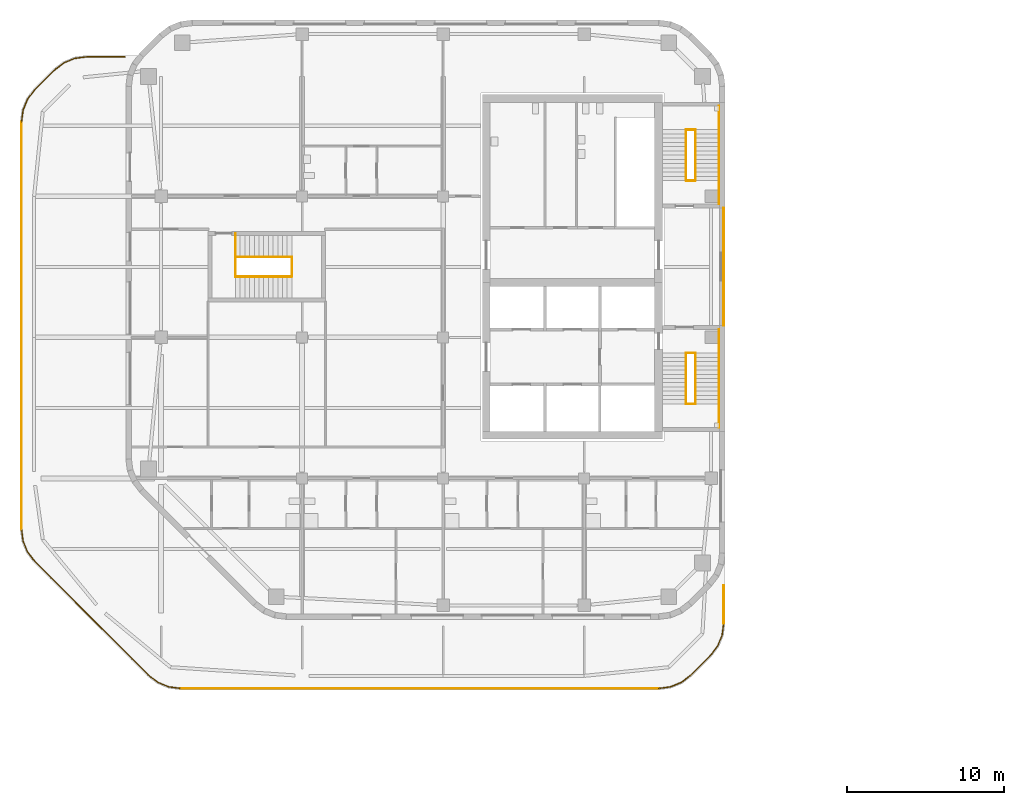
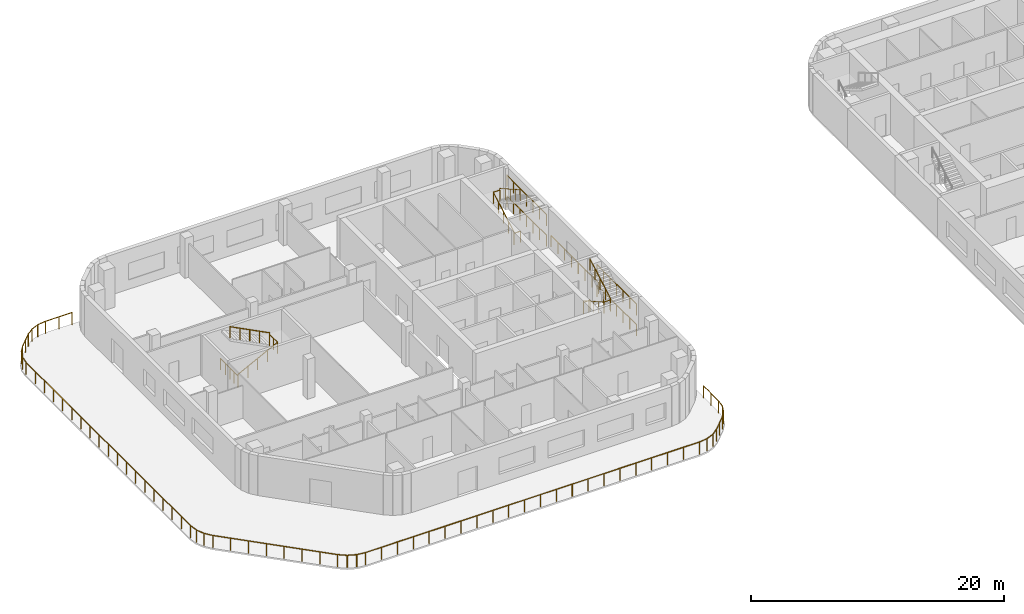
# One storey, part 13 of 15: 24 railings.
"""IFC4 building model written with IfcOpenShell, lengths in metres."""

from ifc_helpers import new_model, si_unit, direction, frame, origin, origin_2d, place, context, subcontext, project, spatial, circle, extrude, material, type_object, element, save


model = new_model("IFC4")

# Units and contexts
model_context = context("Model", 3, precision=1e-05, world=origin(), true_north=direction((0.0, 1.0)))
body_context = subcontext(model_context, "Body", "Model", "MODEL_VIEW")
ifc_project = project(units=[si_unit("LENGTHUNIT", "METRE"), si_unit("AREAUNIT", "SQUARE_METRE"), si_unit("VOLUMEUNIT", "CUBIC_METRE"), si_unit("PLANEANGLEUNIT", "RADIAN"), si_unit("MASSUNIT", "GRAM", prefix="KILO")], contexts=[model_context])

# Site, building, storey
site_placement = place(None, origin())
site = spatial("IfcSite", under=ifc_project, at=site_placement, CompositionType="ELEMENT")
building_placement = place(site_placement, origin())
building = spatial("IfcBuilding", under=site, at=building_placement, Name="Cinnabar Reach Civic Tower", CompositionType="ELEMENT")
storey_placement = place(building_placement, frame((0.0, 0.0, 51.0)))
storey = spatial("IfcBuildingStorey", under=building, at=storey_placement, Name="L11", CompositionType="ELEMENT", Elevation=51.0)

# Railings
ifc_material = material(Name="Stainless steel", Category="steel")
railing_type_1 = type_object("IfcRailingType", Name="Facade terrace guard 1200", PredefinedType="GUARDRAIL", material=ifc_material)
railing_1_placement = place(storey_placement, frame((-27.1, 8.7492, 0.0)))
element("IfcRailing", 1, at=railing_1_placement, inside=storey, type_object=railing_type_1, Name="Terrace guard", PredefinedType="GUARDRAIL", context=body_context, shape_type="SweptSolid", body=[
    extrude(circle(Radius=0.024, at=origin_2d()), frame((0.0, 0.0, 1.176), z_axis=(-0.130464677782, -0.991452957962, 0.0), x_axis=(0.991452957962, -0.130464677782, 0.0)), (0.0, 0.0, 1.0), 0.7634),
    extrude(circle(Radius=0.024, at=origin_2d()), frame((-0.0996, -0.7569, 1.176), z_axis=(-0.382775770387, -0.923841279444, 0.0), x_axis=(0.923841279444, -0.382775770387, 0.0)), (0.0, 0.0, 1.0), 0.7568),
    extrude(circle(Radius=0.024, at=origin_2d()), frame((-0.3893, -1.4561, 1.176), z_axis=(-0.608703751361, -0.793397594576, 0.0), x_axis=(0.793397594576, -0.608703751361, 0.0)), (0.0, 0.0, 1.0), 0.7634),
    extrude(circle(Radius=0.024, at=origin_2d()), frame((-0.854, -2.0618, 1.176), z_axis=(-0.707106781187, -0.707106781187, 0.0), x_axis=(0.707106781187, -0.707106781187, 0.0)), (0.0, 0.0, 1.0), 1.7443),
    extrude(circle(Radius=0.024, at=origin_2d()), frame((-2.0874, -3.2952, 1.176), z_axis=(-0.793397594576, -0.608703751361, 0.0), x_axis=(0.608703751361, -0.793397594576, 0.0)), (0.0, 0.0, 1.0), 0.7634),
    extrude(circle(Radius=0.024, at=origin_2d()), frame((-2.6931, -3.7599, 1.176), z_axis=(-0.923841279444, -0.382775770387, 0.0), x_axis=(0.382775770387, -0.923841279444, 0.0)), (0.0, 0.0, 1.0), 0.7568),
    extrude(circle(Radius=0.024, at=origin_2d()), frame((-3.3923, -4.0496, 1.176), z_axis=(-0.991452957962, -0.130464677782, 0.0), x_axis=(0.130464677782, -0.991452957962, 0.0)), (0.0, 0.0, 1.0), 0.7634),
    extrude(circle(Radius=0.021, at=origin_2d()), origin(), (0.0, 0.0, 1.0), 1.152),
    extrude(circle(Radius=0.021, at=origin_2d()), frame((-0.0996, -0.7569, 0.0)), (0.0, 0.0, 1.0), 1.152),
    extrude(circle(Radius=0.021, at=origin_2d()), frame((-0.3893, -1.4561, 0.0)), (0.0, 0.0, 1.0), 1.152),
    extrude(circle(Radius=0.021, at=origin_2d()), frame((-0.854, -2.0618, 0.0)), (0.0, 0.0, 1.0), 1.152),
    extrude(circle(Radius=0.021, at=origin_2d()), frame((-1.4707, -2.6785, 0.0)), (0.0, 0.0, 1.0), 1.152),
    extrude(circle(Radius=0.021, at=origin_2d()), frame((-2.0874, -3.2952, 0.0)), (0.0, 0.0, 1.0), 1.152),
    extrude(circle(Radius=0.021, at=origin_2d()), frame((-2.6931, -3.7599, 0.0)), (0.0, 0.0, 1.0), 1.152),
    extrude(circle(Radius=0.021, at=origin_2d()), frame((-3.3923, -4.0496, 0.0)), (0.0, 0.0, 1.0), 1.152),
    extrude(circle(Radius=0.021, at=origin_2d()), frame((-4.1492, -4.1492, 0.0)), (0.0, 0.0, 1.0), 1.152),
])
railing_2_placement = place(storey_placement, frame((-31.2492, 4.6, 0.0)))
element("IfcRailing", 2, at=railing_2_placement, inside=storey, type_object=railing_type_1, Name="Terrace guard", PredefinedType="GUARDRAIL", context=body_context, shape_type="SweptSolid", body=[
    extrude(circle(Radius=0.024, at=origin_2d()), frame((0.0, 0.0, 1.176), z_axis=(-1.0, 0.0, 0.0), x_axis=(0.0, -1.0, 0.0)), (0.0, 0.0, 1.0), 30.5016),
    extrude(circle(Radius=0.021, at=origin_2d()), origin(), (0.0, 0.0, 1.0), 1.152),
    extrude(circle(Radius=0.021, at=origin_2d()), frame((-1.4525, 0.0, 0.0)), (0.0, 0.0, 1.0), 1.152),
    extrude(circle(Radius=0.021, at=origin_2d()), frame((-2.9049, 0.0, 0.0)), (0.0, 0.0, 1.0), 1.152),
    extrude(circle(Radius=0.021, at=origin_2d()), frame((-4.3574, 0.0, 0.0)), (0.0, 0.0, 1.0), 1.152),
    extrude(circle(Radius=0.021, at=origin_2d()), frame((-5.8098, 0.0, 0.0)), (0.0, 0.0, 1.0), 1.152),
    extrude(circle(Radius=0.021, at=origin_2d()), frame((-7.2623, 0.0, 0.0)), (0.0, 0.0, 1.0), 1.152),
    extrude(circle(Radius=0.021, at=origin_2d()), frame((-8.7147, 0.0, 0.0)), (0.0, 0.0, 1.0), 1.152),
    extrude(circle(Radius=0.021, at=origin_2d()), frame((-10.1672, 0.0, 0.0)), (0.0, 0.0, 1.0), 1.152),
    extrude(circle(Radius=0.021, at=origin_2d()), frame((-11.6197, 0.0, 0.0)), (0.0, 0.0, 1.0), 1.152),
    extrude(circle(Radius=0.021, at=origin_2d()), frame((-13.0721, 0.0, 0.0)), (0.0, 0.0, 1.0), 1.152),
    extrude(circle(Radius=0.021, at=origin_2d()), frame((-14.5246, 0.0, 0.0)), (0.0, 0.0, 1.0), 1.152),
    extrude(circle(Radius=0.021, at=origin_2d()), frame((-15.977, 0.0, 0.0)), (0.0, 0.0, 1.0), 1.152),
    extrude(circle(Radius=0.021, at=origin_2d()), frame((-17.4295, 0.0, 0.0)), (0.0, 0.0, 1.0), 1.152),
    extrude(circle(Radius=0.021, at=origin_2d()), frame((-18.8819, 0.0, 0.0)), (0.0, 0.0, 1.0), 1.152),
    extrude(circle(Radius=0.021, at=origin_2d()), frame((-20.3344, 0.0, 0.0)), (0.0, 0.0, 1.0), 1.152),
    extrude(circle(Radius=0.021, at=origin_2d()), frame((-21.7869, 0.0, 0.0)), (0.0, 0.0, 1.0), 1.152),
    extrude(circle(Radius=0.021, at=origin_2d()), frame((-23.2393, 0.0, 0.0)), (0.0, 0.0, 1.0), 1.152),
    extrude(circle(Radius=0.021, at=origin_2d()), frame((-24.6918, 0.0, 0.0)), (0.0, 0.0, 1.0), 1.152),
    extrude(circle(Radius=0.021, at=origin_2d()), frame((-26.1442, 0.0, 0.0)), (0.0, 0.0, 1.0), 1.152),
    extrude(circle(Radius=0.021, at=origin_2d()), frame((-27.5967, 0.0, 0.0)), (0.0, 0.0, 1.0), 1.152),
    extrude(circle(Radius=0.021, at=origin_2d()), frame((-29.0491, 0.0, 0.0)), (0.0, 0.0, 1.0), 1.152),
    extrude(circle(Radius=0.021, at=origin_2d()), frame((-30.5016, 0.0, 0.0)), (0.0, 0.0, 1.0), 1.152),
])
railing_3_placement = place(storey_placement, frame((-61.7508, 4.6, 0.0)))
element("IfcRailing", 3, at=railing_3_placement, inside=storey, type_object=railing_type_1, Name="Terrace guard", PredefinedType="GUARDRAIL", context=body_context, shape_type="SweptSolid", body=[
    extrude(circle(Radius=0.024, at=origin_2d()), frame((0.0, 0.0, 1.176), z_axis=(-0.991452957962, 0.130464677782, 0.0), x_axis=(-0.130464677782, -0.991452957962, 0.0)), (0.0, 0.0, 1.0), 0.7634),
    extrude(circle(Radius=0.024, at=origin_2d()), frame((-0.7569, 0.0996, 1.176), z_axis=(-0.923841279444, 0.382775770387, 0.0), x_axis=(-0.382775770387, -0.923841279444, 0.0)), (0.0, 0.0, 1.0), 0.7568),
    extrude(circle(Radius=0.024, at=origin_2d()), frame((-1.4561, 0.3893, 1.176), z_axis=(-0.793397594576, 0.608703751361, 0.0), x_axis=(-0.608703751361, -0.793397594576, 0.0)), (0.0, 0.0, 1.0), 0.7634),
    extrude(circle(Radius=0.024, at=origin_2d()), frame((-2.0618, 0.854, 1.176), z_axis=(-0.707106781187, 0.707106781187, 0.0), x_axis=(-0.707106781187, -0.707106781187, 0.0)), (0.0, 0.0, 1.0), 10.2296),
    extrude(circle(Radius=0.024, at=origin_2d()), frame((-9.2952, 8.0874, 1.176), z_axis=(-0.608703751361, 0.793397594576, 0.0), x_axis=(-0.793397594576, -0.608703751361, 0.0)), (0.0, 0.0, 1.0), 0.7634),
    extrude(circle(Radius=0.024, at=origin_2d()), frame((-9.7599, 8.6931, 1.176), z_axis=(-0.382775770387, 0.923841279444, 0.0), x_axis=(-0.923841279444, -0.382775770387, 0.0)), (0.0, 0.0, 1.0), 0.7568),
    extrude(circle(Radius=0.024, at=origin_2d()), frame((-10.0496, 9.3923, 1.176), z_axis=(-0.130464677782, 0.991452957962, 0.0), x_axis=(-0.991452957962, -0.130464677782, 0.0)), (0.0, 0.0, 1.0), 0.7634),
    extrude(circle(Radius=0.021, at=origin_2d()), origin(), (0.0, 0.0, 1.0), 1.152),
    extrude(circle(Radius=0.021, at=origin_2d()), frame((-0.7569, 0.0996, 0.0)), (0.0, 0.0, 1.0), 1.152),
    extrude(circle(Radius=0.021, at=origin_2d()), frame((-1.4561, 0.3893, 0.0)), (0.0, 0.0, 1.0), 1.152),
    extrude(circle(Radius=0.021, at=origin_2d()), frame((-2.0618, 0.854, 0.0)), (0.0, 0.0, 1.0), 1.152),
    extrude(circle(Radius=0.021, at=origin_2d()), frame((-3.0951, 1.8873, 0.0)), (0.0, 0.0, 1.0), 1.152),
    extrude(circle(Radius=0.021, at=origin_2d()), frame((-4.1285, 2.9207, 0.0)), (0.0, 0.0, 1.0), 1.152),
    extrude(circle(Radius=0.021, at=origin_2d()), frame((-5.1618, 3.954, 0.0)), (0.0, 0.0, 1.0), 1.152),
    extrude(circle(Radius=0.021, at=origin_2d()), frame((-6.1952, 4.9874, 0.0)), (0.0, 0.0, 1.0), 1.152),
    extrude(circle(Radius=0.021, at=origin_2d()), frame((-7.2285, 6.0207, 0.0)), (0.0, 0.0, 1.0), 1.152),
    extrude(circle(Radius=0.021, at=origin_2d()), frame((-8.2619, 7.0541, 0.0)), (0.0, 0.0, 1.0), 1.152),
    extrude(circle(Radius=0.021, at=origin_2d()), frame((-9.2952, 8.0874, 0.0)), (0.0, 0.0, 1.0), 1.152),
    extrude(circle(Radius=0.021, at=origin_2d()), frame((-9.7599, 8.6931, 0.0)), (0.0, 0.0, 1.0), 1.152),
    extrude(circle(Radius=0.021, at=origin_2d()), frame((-10.0496, 9.3923, 0.0)), (0.0, 0.0, 1.0), 1.152),
    extrude(circle(Radius=0.021, at=origin_2d()), frame((-10.1492, 10.1492, 0.0)), (0.0, 0.0, 1.0), 1.152),
])
railing_4_placement = place(storey_placement, frame((-71.9, 14.7492, 0.0)))
element("IfcRailing", 4, at=railing_4_placement, inside=storey, type_object=railing_type_1, Name="Terrace guard", PredefinedType="GUARDRAIL", context=body_context, shape_type="SweptSolid", body=[
    extrude(circle(Radius=0.024, at=origin_2d()), frame((0.0, 0.0, 1.176), z_axis=(0.0, 1.0, 0.0), x_axis=(-1.0, 0.0, 0.0)), (0.0, 0.0, 1.0), 26.0016),
    extrude(circle(Radius=0.021, at=origin_2d()), origin(), (0.0, 0.0, 1.0), 1.152),
    extrude(circle(Radius=0.021, at=origin_2d()), frame((0.0, 1.4445, 0.0)), (0.0, 0.0, 1.0), 1.152),
    extrude(circle(Radius=0.021, at=origin_2d()), frame((0.0, 2.8891, 0.0)), (0.0, 0.0, 1.0), 1.152),
    extrude(circle(Radius=0.021, at=origin_2d()), frame((0.0, 4.3336, 0.0)), (0.0, 0.0, 1.0), 1.152),
    extrude(circle(Radius=0.021, at=origin_2d()), frame((0.0, 5.7781, 0.0)), (0.0, 0.0, 1.0), 1.152),
    extrude(circle(Radius=0.021, at=origin_2d()), frame((0.0, 7.2227, 0.0)), (0.0, 0.0, 1.0), 1.152),
    extrude(circle(Radius=0.021, at=origin_2d()), frame((0.0, 8.6672, 0.0)), (0.0, 0.0, 1.0), 1.152),
    extrude(circle(Radius=0.021, at=origin_2d()), frame((0.0, 10.1117, 0.0)), (0.0, 0.0, 1.0), 1.152),
    extrude(circle(Radius=0.021, at=origin_2d()), frame((0.0, 11.5563, 0.0)), (0.0, 0.0, 1.0), 1.152),
    extrude(circle(Radius=0.021, at=origin_2d()), frame((0.0, 13.0008, 0.0)), (0.0, 0.0, 1.0), 1.152),
    extrude(circle(Radius=0.021, at=origin_2d()), frame((0.0, 14.4453, 0.0)), (0.0, 0.0, 1.0), 1.152),
    extrude(circle(Radius=0.021, at=origin_2d()), frame((0.0, 15.8899, 0.0)), (0.0, 0.0, 1.0), 1.152),
    extrude(circle(Radius=0.021, at=origin_2d()), frame((0.0, 17.3344, 0.0)), (0.0, 0.0, 1.0), 1.152),
    extrude(circle(Radius=0.021, at=origin_2d()), frame((0.0, 18.7789, 0.0)), (0.0, 0.0, 1.0), 1.152),
    extrude(circle(Radius=0.021, at=origin_2d()), frame((0.0, 20.2235, 0.0)), (0.0, 0.0, 1.0), 1.152),
    extrude(circle(Radius=0.021, at=origin_2d()), frame((0.0, 21.668, 0.0)), (0.0, 0.0, 1.0), 1.152),
    extrude(circle(Radius=0.021, at=origin_2d()), frame((0.0, 23.1125, 0.0)), (0.0, 0.0, 1.0), 1.152),
    extrude(circle(Radius=0.021, at=origin_2d()), frame((0.0, 24.5571, 0.0)), (0.0, 0.0, 1.0), 1.152),
    extrude(circle(Radius=0.021, at=origin_2d()), frame((0.0, 26.0016, 0.0)), (0.0, 0.0, 1.0), 1.152),
])
railing_5_placement = place(storey_placement, frame((-71.9, 40.7508, 0.0)))
element("IfcRailing", 5, at=railing_5_placement, inside=storey, type_object=railing_type_1, Name="Terrace guard", PredefinedType="GUARDRAIL", context=body_context, shape_type="SweptSolid", body=[
    extrude(circle(Radius=0.024, at=origin_2d()), frame((0.0, 0.0, 1.176), z_axis=(0.130464677782, 0.991452957962, 0.0), x_axis=(-0.991452957962, 0.130464677782, 0.0)), (0.0, 0.0, 1.0), 0.7634),
    extrude(circle(Radius=0.024, at=origin_2d()), frame((0.0996, 0.7569, 1.176), z_axis=(0.382775770387, 0.923841279444, 0.0), x_axis=(-0.923841279444, 0.382775770387, 0.0)), (0.0, 0.0, 1.0), 0.7568),
    extrude(circle(Radius=0.024, at=origin_2d()), frame((0.3893, 1.4561, 1.176), z_axis=(0.608703751361, 0.793397594576, 0.0), x_axis=(-0.793397594576, 0.608703751361, 0.0)), (0.0, 0.0, 1.0), 0.7634),
    extrude(circle(Radius=0.024, at=origin_2d()), frame((0.854, 2.0618, 1.176), z_axis=(0.707106781187, 0.707106781187, 0.0), x_axis=(-0.707106781187, 0.707106781187, 0.0)), (0.0, 0.0, 1.0), 1.7443),
    extrude(circle(Radius=0.024, at=origin_2d()), frame((2.0874, 3.2952, 1.176), z_axis=(0.793397594576, 0.608703751361, 0.0), x_axis=(-0.608703751361, 0.793397594576, 0.0)), (0.0, 0.0, 1.0), 0.7634),
    extrude(circle(Radius=0.024, at=origin_2d()), frame((2.6931, 3.7599, 1.176), z_axis=(0.923841279444, 0.382775770387, 0.0), x_axis=(-0.382775770387, 0.923841279444, 0.0)), (0.0, 0.0, 1.0), 0.7568),
    extrude(circle(Radius=0.024, at=origin_2d()), frame((3.3923, 4.0496, 1.176), z_axis=(0.991452957962, 0.130464677782, 0.0), x_axis=(-0.130464677782, 0.991452957962, 0.0)), (0.0, 0.0, 1.0), 0.7634),
    extrude(circle(Radius=0.024, at=origin_2d()), frame((4.1492, 4.1492, 1.176), z_axis=(1.0, 0.0, 0.0), x_axis=(0.0, 1.0, 0.0)), (0.0, 0.0, 1.0), 2.4477),
    extrude(circle(Radius=0.021, at=origin_2d()), origin(), (0.0, 0.0, 1.0), 1.152),
    extrude(circle(Radius=0.021, at=origin_2d()), frame((0.0996, 0.7569, 0.0)), (0.0, 0.0, 1.0), 1.152),
    extrude(circle(Radius=0.021, at=origin_2d()), frame((0.3893, 1.4561, 0.0)), (0.0, 0.0, 1.0), 1.152),
    extrude(circle(Radius=0.021, at=origin_2d()), frame((0.854, 2.0618, 0.0)), (0.0, 0.0, 1.0), 1.152),
    extrude(circle(Radius=0.021, at=origin_2d()), frame((1.4707, 2.6785, 0.0)), (0.0, 0.0, 1.0), 1.152),
    extrude(circle(Radius=0.021, at=origin_2d()), frame((2.0874, 3.2952, 0.0)), (0.0, 0.0, 1.0), 1.152),
    extrude(circle(Radius=0.021, at=origin_2d()), frame((2.6931, 3.7599, 0.0)), (0.0, 0.0, 1.0), 1.152),
    extrude(circle(Radius=0.021, at=origin_2d()), frame((3.3923, 4.0496, 0.0)), (0.0, 0.0, 1.0), 1.152),
    extrude(circle(Radius=0.021, at=origin_2d()), frame((4.1492, 4.1492, 0.0)), (0.0, 0.0, 1.0), 1.152),
    extrude(circle(Radius=0.021, at=origin_2d()), frame((5.3731, 4.1492, 0.0)), (0.0, 0.0, 1.0), 1.152),
    extrude(circle(Radius=0.021, at=origin_2d()), frame((6.5969, 4.1492, 0.0)), (0.0, 0.0, 1.0), 1.152),
])
railing_6_placement = place(storey_placement, frame((-27.1, 11.1505, 0.0)))
element("IfcRailing", 6, at=railing_6_placement, inside=storey, type_object=railing_type_1, Name="Terrace guard", PredefinedType="GUARDRAIL", context=body_context, shape_type="SweptSolid", body=[
    extrude(circle(Radius=0.024, at=origin_2d()), frame((0.0, 0.0, 1.176), z_axis=(0.0, -1.0, 0.0), x_axis=(1.0, 0.0, 0.0)), (0.0, 0.0, 1.0), 2.4013),
    extrude(circle(Radius=0.021, at=origin_2d()), origin(), (0.0, 0.0, 1.0), 1.152),
    extrude(circle(Radius=0.021, at=origin_2d()), frame((0.0, -1.2006, 0.0)), (0.0, 0.0, 1.0), 1.152),
    extrude(circle(Radius=0.021, at=origin_2d()), frame((0.0, -2.4013, 0.0)), (0.0, 0.0, 1.0), 1.152),
])
railing_type_2 = type_object("IfcRailingType", Name="T2 Stair guard 1100", PredefinedType="GUARDRAIL", material=ifc_material)
railing_7_placement = place(storey_placement, frame((-27.1, 27.75, 0.0)))
element("IfcRailing", 7, at=railing_7_placement, inside=storey, type_object=railing_type_2, Name="Corridor end guard", PredefinedType="GUARDRAIL", context=body_context, shape_type="SweptSolid", body=[
    extrude(circle(Radius=0.024, at=origin_2d()), frame((0.0, 0.0, 1.076), z_axis=(0.0, 1.0, 0.0), x_axis=(-1.0, 0.0, 0.0)), (0.0, 0.0, 1.0), 7.5),
    extrude(circle(Radius=0.021, at=origin_2d()), origin(), (0.0, 0.0, 1.0), 1.052),
    extrude(circle(Radius=0.021, at=origin_2d()), frame((0.0, 1.0714, 0.0)), (0.0, 0.0, 1.0), 1.052),
    extrude(circle(Radius=0.021, at=origin_2d()), frame((0.0, 2.1429, 0.0)), (0.0, 0.0, 1.0), 1.052),
    extrude(circle(Radius=0.021, at=origin_2d()), frame((0.0, 3.2143, 0.0)), (0.0, 0.0, 1.0), 1.052),
    extrude(circle(Radius=0.021, at=origin_2d()), frame((0.0, 4.2857, 0.0)), (0.0, 0.0, 1.0), 1.052),
    extrude(circle(Radius=0.021, at=origin_2d()), frame((0.0, 5.3571, 0.0)), (0.0, 0.0, 1.0), 1.052),
    extrude(circle(Radius=0.021, at=origin_2d()), frame((0.0, 6.4286, 0.0)), (0.0, 0.0, 1.0), 1.052),
    extrude(circle(Radius=0.021, at=origin_2d()), frame((0.0, 7.5, 0.0)), (0.0, 0.0, 1.0), 1.052),
])
for number, where, name in (
    (8, (-27.4, 21.25, 0.0), "Stair guard 1"),
    (9, (-27.4, 21.25, 2.0), "Stair guard 1"),
):
    element("IfcRailing", number, at=place(storey_placement, frame(where)), inside=storey, type_object=railing_type_2, Name=name, PredefinedType="GUARDRAIL", context=body_context, shape_type="SweptSolid", body=[
        extrude(circle(Radius=0.024, at=origin_2d()), frame((0.0, 0.0, 1.076), z_axis=(0.0, 1.0, 0.0), x_axis=(-1.0, 0.0, 0.0)), (0.0, 0.0, 1.0), 6.25),
        extrude(circle(Radius=0.021, at=origin_2d()), origin(), (0.0, 0.0, 1.0), 1.052),
        extrude(circle(Radius=0.021, at=origin_2d()), frame((0.0, 1.0417, 0.0)), (0.0, 0.0, 1.0), 1.052),
        extrude(circle(Radius=0.021, at=origin_2d()), frame((0.0, 2.0833, 0.0)), (0.0, 0.0, 1.0), 1.052),
        extrude(circle(Radius=0.021, at=origin_2d()), frame((0.0, 3.125, 0.0)), (0.0, 0.0, 1.0), 1.052),
        extrude(circle(Radius=0.021, at=origin_2d()), frame((0.0, 4.1667, 0.0)), (0.0, 0.0, 1.0), 1.052),
        extrude(circle(Radius=0.021, at=origin_2d()), frame((0.0, 5.2083, 0.0)), (0.0, 0.0, 1.0), 1.052),
        extrude(circle(Radius=0.021, at=origin_2d()), frame((0.0, 6.25, 0.0)), (0.0, 0.0, 1.0), 1.052),
    ])
for number, where, name in (
    (10, (-29.5, 26.0, 0.0), "Stair guard 1"),
    (11, (-29.5, 22.75, 2.0), "Stair guard 1"),
):
    element("IfcRailing", number, at=place(storey_placement, frame(where)), inside=storey, type_object=railing_type_2, Name=name, PredefinedType="GUARDRAIL", context=body_context, shape_type="SweptSolid", body=[
        extrude(circle(Radius=0.024, at=origin_2d()), frame((0.0, 0.0, 1.076), z_axis=(1.0, 0.0, 0.0), x_axis=(0.0, 1.0, 0.0)), (0.0, 0.0, 1.0), 0.6),
        extrude(circle(Radius=0.021, at=origin_2d()), origin(), (0.0, 0.0, 1.0), 1.052),
        extrude(circle(Radius=0.021, at=origin_2d()), frame((0.6, 0.0, 0.0)), (0.0, 0.0, 1.0), 1.052),
    ])
railing_8_placement = place(storey_placement, frame((-29.5, 26.0, 0.1538)))
element("IfcRailing", 12, at=railing_8_placement, inside=storey, type_object=railing_type_2, Name="Stair guard 1", PredefinedType="GUARDRAIL", context=body_context, shape_type="SweptSolid", body=[
    extrude(circle(Radius=0.024, at=origin_2d()), frame((0.0, 0.0, 1.076), z_axis=(0.0, -0.869501474428, 0.493930345258), x_axis=(1.0, 0.0, 0.0)), (0.0, 0.0, 1.0), 3.7378),
    extrude(circle(Radius=0.021, at=origin_2d()), origin(), (0.0, 0.0, 1.0), 1.052),
    extrude(circle(Radius=0.021, at=origin_2d()), frame((0.0, -0.8125, 0.4616)), (0.0, 0.0, 1.0), 1.052),
    extrude(circle(Radius=0.021, at=origin_2d()), frame((0.0, -1.625, 0.9231)), (0.0, 0.0, 1.0), 1.052),
    extrude(circle(Radius=0.021, at=origin_2d()), frame((0.0, -2.4375, 1.3847)), (0.0, 0.0, 1.0), 1.052),
    extrude(circle(Radius=0.021, at=origin_2d()), frame((0.0, -3.25, 1.8462)), (0.0, 0.0, 1.0), 1.052),
])
railing_9_placement = place(storey_placement, frame((-28.9, 22.75, 2.1538)))
element("IfcRailing", 13, at=railing_9_placement, inside=storey, type_object=railing_type_2, Name="Stair guard 1", PredefinedType="GUARDRAIL", context=body_context, shape_type="SweptSolid", body=[
    extrude(circle(Radius=0.024, at=origin_2d()), frame((0.0, 0.0, 1.076), z_axis=(0.0, 0.869501474428, 0.493930345258), x_axis=(-1.0, 0.0, 0.0)), (0.0, 0.0, 1.0), 3.7378),
    extrude(circle(Radius=0.021, at=origin_2d()), origin(), (0.0, 0.0, 1.0), 1.052),
    extrude(circle(Radius=0.021, at=origin_2d()), frame((0.0, 0.8125, 0.4616)), (0.0, 0.0, 1.0), 1.052),
    extrude(circle(Radius=0.021, at=origin_2d()), frame((0.0, 1.625, 0.9231)), (0.0, 0.0, 1.0), 1.052),
    extrude(circle(Radius=0.021, at=origin_2d()), frame((0.0, 2.4375, 1.3847)), (0.0, 0.0, 1.0), 1.052),
    extrude(circle(Radius=0.021, at=origin_2d()), frame((0.0, 3.25, 1.8462)), (0.0, 0.0, 1.0), 1.052),
])
for number, where, name in (
    (14, (-27.4, 35.5, 0.0), "Stair guard 2"),
    (15, (-27.4, 35.5, 2.0), "Stair guard 2"),
):
    element("IfcRailing", number, at=place(storey_placement, frame(where)), inside=storey, type_object=railing_type_2, Name=name, PredefinedType="GUARDRAIL", context=body_context, shape_type="SweptSolid", body=[
        extrude(circle(Radius=0.024, at=origin_2d()), frame((0.0, 0.0, 1.076), z_axis=(0.0, 1.0, 0.0), x_axis=(-1.0, 0.0, 0.0)), (0.0, 0.0, 1.0), 6.25),
        extrude(circle(Radius=0.021, at=origin_2d()), origin(), (0.0, 0.0, 1.0), 1.052),
        extrude(circle(Radius=0.021, at=origin_2d()), frame((0.0, 1.0417, 0.0)), (0.0, 0.0, 1.0), 1.052),
        extrude(circle(Radius=0.021, at=origin_2d()), frame((0.0, 2.0833, 0.0)), (0.0, 0.0, 1.0), 1.052),
        extrude(circle(Radius=0.021, at=origin_2d()), frame((0.0, 3.125, 0.0)), (0.0, 0.0, 1.0), 1.052),
        extrude(circle(Radius=0.021, at=origin_2d()), frame((0.0, 4.1667, 0.0)), (0.0, 0.0, 1.0), 1.052),
        extrude(circle(Radius=0.021, at=origin_2d()), frame((0.0, 5.2083, 0.0)), (0.0, 0.0, 1.0), 1.052),
        extrude(circle(Radius=0.021, at=origin_2d()), frame((0.0, 6.25, 0.0)), (0.0, 0.0, 1.0), 1.052),
    ])
for number, where, name in (
    (16, (-29.5, 37.0, 0.0), "Stair guard 2"),
    (17, (-29.5, 40.25, 2.0), "Stair guard 2"),
):
    element("IfcRailing", number, at=place(storey_placement, frame(where)), inside=storey, type_object=railing_type_2, Name=name, PredefinedType="GUARDRAIL", context=body_context, shape_type="SweptSolid", body=[
        extrude(circle(Radius=0.024, at=origin_2d()), frame((0.0, 0.0, 1.076), z_axis=(1.0, 0.0, 0.0), x_axis=(0.0, 1.0, 0.0)), (0.0, 0.0, 1.0), 0.6),
        extrude(circle(Radius=0.021, at=origin_2d()), origin(), (0.0, 0.0, 1.0), 1.052),
        extrude(circle(Radius=0.021, at=origin_2d()), frame((0.6, 0.0, 0.0)), (0.0, 0.0, 1.0), 1.052),
    ])
railing_10_placement = place(storey_placement, frame((-29.5, 37.0, 0.1538)))
element("IfcRailing", 18, at=railing_10_placement, inside=storey, type_object=railing_type_2, Name="Stair guard 2", PredefinedType="GUARDRAIL", context=body_context, shape_type="SweptSolid", body=[
    extrude(circle(Radius=0.024, at=origin_2d()), frame((0.0, 0.0, 1.076), z_axis=(0.0, 0.869501474428, 0.493930345258), x_axis=(-1.0, 0.0, 0.0)), (0.0, 0.0, 1.0), 3.7378),
    extrude(circle(Radius=0.021, at=origin_2d()), origin(), (0.0, 0.0, 1.0), 1.052),
    extrude(circle(Radius=0.021, at=origin_2d()), frame((0.0, 0.8125, 0.4616)), (0.0, 0.0, 1.0), 1.052),
    extrude(circle(Radius=0.021, at=origin_2d()), frame((0.0, 1.625, 0.9231)), (0.0, 0.0, 1.0), 1.052),
    extrude(circle(Radius=0.021, at=origin_2d()), frame((0.0, 2.4375, 1.3847)), (0.0, 0.0, 1.0), 1.052),
    extrude(circle(Radius=0.021, at=origin_2d()), frame((0.0, 3.25, 1.8462)), (0.0, 0.0, 1.0), 1.052),
])
railing_11_placement = place(storey_placement, frame((-28.9, 40.25, 2.1538)))
element("IfcRailing", 19, at=railing_11_placement, inside=storey, type_object=railing_type_2, Name="Stair guard 2", PredefinedType="GUARDRAIL", context=body_context, shape_type="SweptSolid", body=[
    extrude(circle(Radius=0.024, at=origin_2d()), frame((0.0, 0.0, 1.076), z_axis=(0.0, -0.869501474428, 0.493930345258), x_axis=(1.0, 0.0, 0.0)), (0.0, 0.0, 1.0), 3.7378),
    extrude(circle(Radius=0.021, at=origin_2d()), origin(), (0.0, 0.0, 1.0), 1.052),
    extrude(circle(Radius=0.021, at=origin_2d()), frame((0.0, -0.8125, 0.4616)), (0.0, 0.0, 1.0), 1.052),
    extrude(circle(Radius=0.021, at=origin_2d()), frame((0.0, -1.625, 0.9231)), (0.0, 0.0, 1.0), 1.052),
    extrude(circle(Radius=0.021, at=origin_2d()), frame((0.0, -2.4375, 1.3847)), (0.0, 0.0, 1.0), 1.052),
    extrude(circle(Radius=0.021, at=origin_2d()), frame((0.0, -3.25, 1.8462)), (0.0, 0.0, 1.0), 1.052),
])
railing_12_placement = place(storey_placement, frame((-58.25, 30.875, 0.0)))
element("IfcRailing", 20, at=railing_12_placement, inside=storey, type_object=railing_type_2, Name="Stair guard 3", PredefinedType="GUARDRAIL", context=body_context, shape_type="SweptSolid", body=[
    extrude(circle(Radius=0.024, at=origin_2d()), frame((0.0, 0.0, 1.076), z_axis=(0.0, 1.0, 0.0), x_axis=(-1.0, 0.0, 0.0)), (0.0, 0.0, 1.0), 1.25),
    extrude(circle(Radius=0.021, at=origin_2d()), origin(), (0.0, 0.0, 1.0), 1.052),
    extrude(circle(Radius=0.021, at=origin_2d()), frame((0.0, 0.625, 0.0)), (0.0, 0.0, 1.0), 1.052),
    extrude(circle(Radius=0.021, at=origin_2d()), frame((0.0, 1.25, 0.0)), (0.0, 0.0, 1.0), 1.052),
])
railing_13_placement = place(storey_placement, frame((-58.25, 32.125, 0.0)))
element("IfcRailing", 21, at=railing_13_placement, inside=storey, type_object=railing_type_2, Name="Stair guard 3", PredefinedType="GUARDRAIL", context=body_context, shape_type="SweptSolid", body=[
    extrude(circle(Radius=0.024, at=origin_2d()), frame((0.0, 0.0, 1.076), z_axis=(0.0, 1.0, 0.0), x_axis=(-1.0, 0.0, 0.0)), (0.0, 0.0, 1.0), 1.5),
    extrude(circle(Radius=0.021, at=origin_2d()), origin(), (0.0, 0.0, 1.0), 1.052),
    extrude(circle(Radius=0.021, at=origin_2d()), frame((0.0, 0.75, 0.0)), (0.0, 0.0, 1.0), 1.052),
    extrude(circle(Radius=0.021, at=origin_2d()), frame((0.0, 1.5, 0.0)), (0.0, 0.0, 1.0), 1.052),
])
railing_14_placement = place(storey_placement, frame((-54.65, 30.875, 2.0)))
element("IfcRailing", 22, at=railing_14_placement, inside=storey, type_object=railing_type_2, Name="Stair guard 3", PredefinedType="GUARDRAIL", context=body_context, shape_type="SweptSolid", body=[
    extrude(circle(Radius=0.024, at=origin_2d()), frame((0.0, 0.0, 1.076), z_axis=(0.0, 1.0, 0.0), x_axis=(-1.0, 0.0, 0.0)), (0.0, 0.0, 1.0), 1.25),
    extrude(circle(Radius=0.021, at=origin_2d()), origin(), (0.0, 0.0, 1.0), 1.052),
    extrude(circle(Radius=0.021, at=origin_2d()), frame((0.0, 0.625, 0.0)), (0.0, 0.0, 1.0), 1.052),
    extrude(circle(Radius=0.021, at=origin_2d()), frame((0.0, 1.25, 0.0)), (0.0, 0.0, 1.0), 1.052),
])
railing_15_placement = place(storey_placement, frame((-58.25, 30.875, 0.1538)))
element("IfcRailing", 23, at=railing_15_placement, inside=storey, type_object=railing_type_2, Name="Stair guard 3", PredefinedType="GUARDRAIL", context=body_context, shape_type="SweptSolid", body=[
    extrude(circle(Radius=0.024, at=origin_2d()), frame((0.0, 0.0, 1.076), z_axis=(0.889812830738, 0.0, 0.45632568003), x_axis=(0.0, 1.0, 0.0)), (0.0, 0.0, 1.0), 4.0458),
    extrude(circle(Radius=0.021, at=origin_2d()), origin(), (0.0, 0.0, 1.0), 1.052),
    extrude(circle(Radius=0.021, at=origin_2d()), frame((0.9, 0.0, 0.4616)), (0.0, 0.0, 1.0), 1.052),
    extrude(circle(Radius=0.021, at=origin_2d()), frame((1.8, 0.0, 0.9231)), (0.0, 0.0, 1.0), 1.052),
    extrude(circle(Radius=0.021, at=origin_2d()), frame((2.7, 0.0, 1.3847)), (0.0, 0.0, 1.0), 1.052),
    extrude(circle(Radius=0.021, at=origin_2d()), frame((3.6, 0.0, 1.8462)), (0.0, 0.0, 1.0), 1.052),
])
railing_16_placement = place(storey_placement, frame((-54.65, 32.125, 2.1538)))
element("IfcRailing", 24, at=railing_16_placement, inside=storey, type_object=railing_type_2, Name="Stair guard 3", PredefinedType="GUARDRAIL", context=body_context, shape_type="SweptSolid", body=[
    extrude(circle(Radius=0.024, at=origin_2d()), frame((0.0, 0.0, 1.076), z_axis=(-0.889812830738, 0.0, 0.45632568003), x_axis=(0.0, -1.0, 0.0)), (0.0, 0.0, 1.0), 4.0458),
    extrude(circle(Radius=0.021, at=origin_2d()), origin(), (0.0, 0.0, 1.0), 1.052),
    extrude(circle(Radius=0.021, at=origin_2d()), frame((-0.9, 0.0, 0.4616)), (0.0, 0.0, 1.0), 1.052),
    extrude(circle(Radius=0.021, at=origin_2d()), frame((-1.8, 0.0, 0.9231)), (0.0, 0.0, 1.0), 1.052),
    extrude(circle(Radius=0.021, at=origin_2d()), frame((-2.7, 0.0, 1.3847)), (0.0, 0.0, 1.0), 1.052),
    extrude(circle(Radius=0.021, at=origin_2d()), frame((-3.6, 0.0, 1.8462)), (0.0, 0.0, 1.0), 1.052),
])

save(model, "model.ifc")
